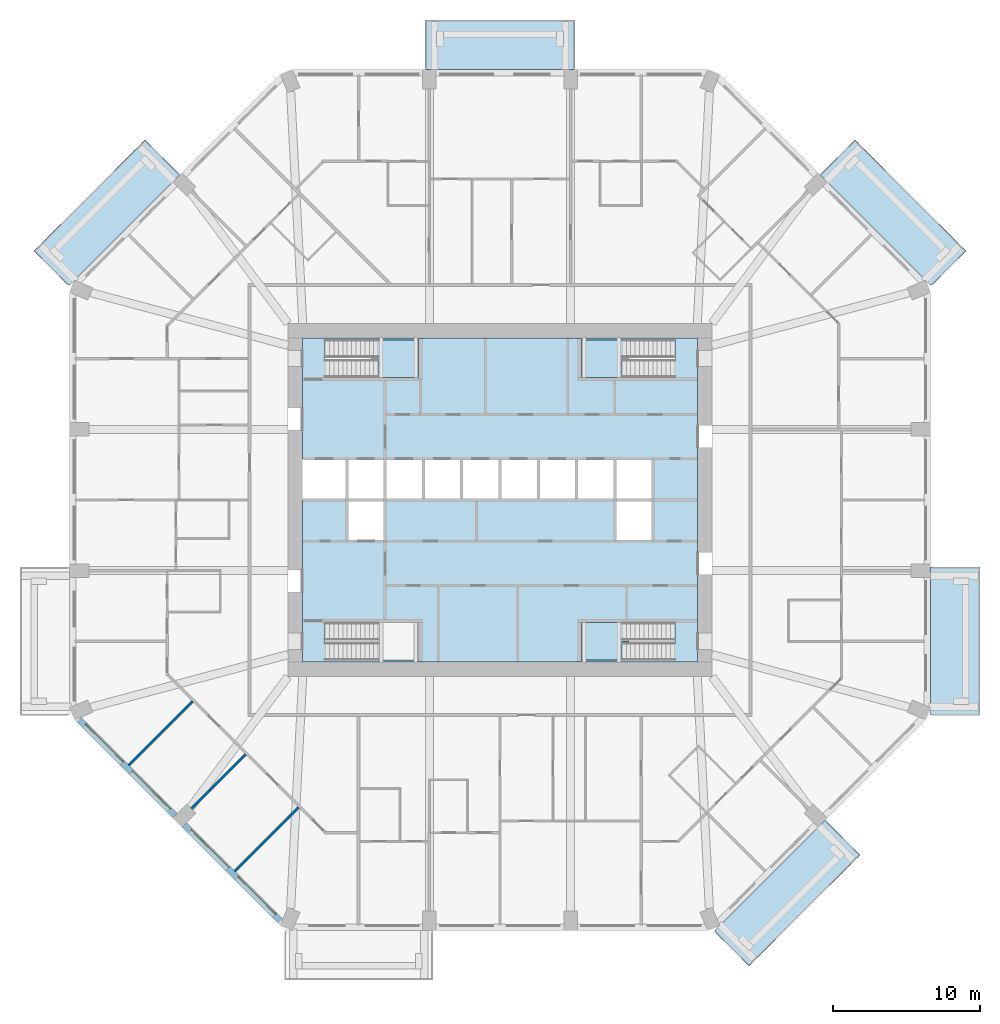
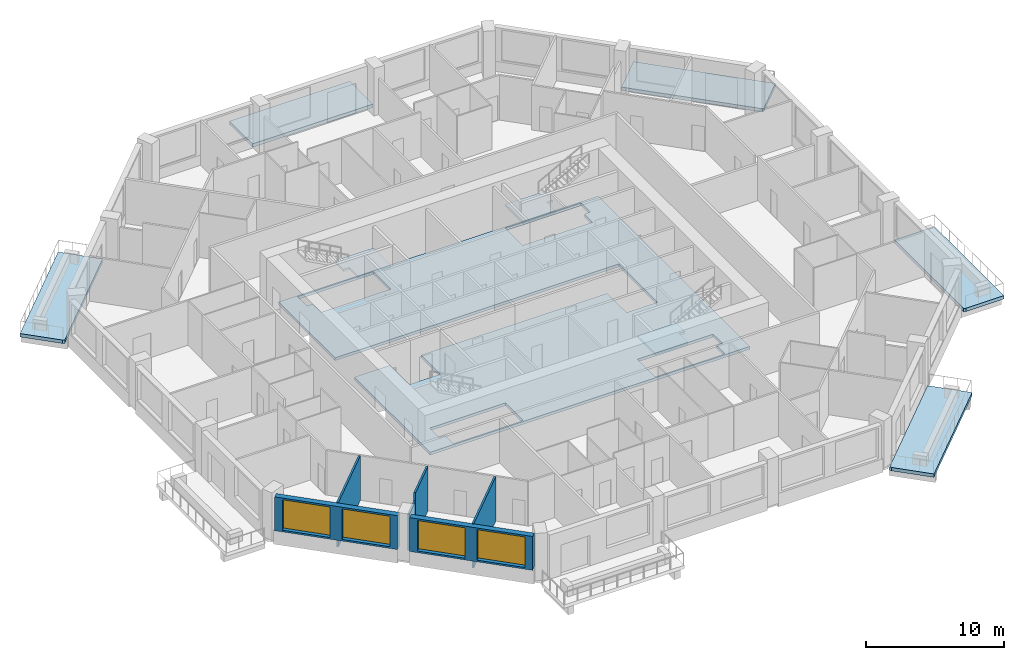
# One storey, part 2 of 13: 9 slabs, 6 walls, 4 windows, 4 openings, 3 elements without a shape of their own.
"""IFC4 building model written with IfcOpenShell, lengths in metres."""

from ifc_helpers import new_model, si_unit, direction, frame, frame_2d, origin, place, context, subcontext, project, spatial, polyline, rectangle, outline, extrude, material, layer, layer_set, type_object, element, fill, aggregate, save


model = new_model("IFC4")

# Units and contexts
model_context = context("Model", 3, precision=1e-05, world=origin(), true_north=direction((0.0, 1.0)))
body_context = subcontext(model_context, "Body", "Model", "MODEL_VIEW")
ifc_project = project(units=[si_unit("LENGTHUNIT", "METRE"), si_unit("AREAUNIT", "SQUARE_METRE"), si_unit("VOLUMEUNIT", "CUBIC_METRE"), si_unit("PLANEANGLEUNIT", "RADIAN"), si_unit("MASSUNIT", "GRAM", prefix="KILO")], contexts=[model_context])

# Site, building, storey
site_placement = place(None, origin())
site = spatial("IfcSite", under=ifc_project, at=site_placement, CompositionType="ELEMENT")
building_placement = place(site_placement, origin())
building = spatial("IfcBuilding", under=site, at=building_placement, Name="Msitu Wima Residences", CompositionType="ELEMENT")
storey_placement = place(building_placement, frame((0.0, 0.0, 80.10009765625)))
storey = spatial("IfcBuildingStorey", under=building, at=storey_placement, Name="L18", CompositionType="ELEMENT", Elevation=80.10009765625)

# Slabs
ifc_material_1 = material(Name="Concrete C40/50", Category="concrete")
ifc_layer_1 = layer(ifc_material_1, 0.300048828125)
ifc_layer_set_1 = layer_set([ifc_layer_1], Name="Concrete C40/50")
slab_type_1 = type_object("IfcSlabType", Name="Balcony slab BS300", PredefinedType="FLOOR", material=ifc_layer_set_1)
slab_1_placement = place(storey_placement, frame((0.0, 0.0, -0.300048828125)))
element("IfcSlab", 1, at=slab_1_placement, inside=storey, type_object=slab_type_1, Name="Balcony E0 L18", PredefinedType="FLOOR", context=body_context, shape_type="SweptSolid", body=[
    extrude(outline(polyline([(29.25, -14.099365234375), (29.25, -14.099365234375), (29.25, -5.25), (29.25, -4.550048828125), (32.60009765625, -4.550048828125), (32.60009765625, -14.64990234375), (29.403564453125, -14.64990234375), (29.25, -14.58642578125), (29.25, -14.099365234375), (29.25, -14.099365234375)])), origin(), (0.0, 0.0, 1.0), 0.300048828125),
])
slab_2_placement = place(storey_placement, frame((0.0, 0.0, -0.300048828125)))
element("IfcSlab", 2, at=slab_2_placement, inside=storey, type_object=slab_type_1, Name="Balcony NE0 L18", PredefinedType="FLOOR", context=body_context, shape_type="SweptSolid", body=[
    extrude(outline(polyline([(24.1103515625, 24.4638671875), (31.663818359375, 16.91015625), (29.403564453125, 14.64990234375), (29.25, 14.58642578125), (21.741455078125, 22.094970703125), (24.1103515625, 24.4638671875)])), origin(), (0.0, 0.0, 1.0), 0.300048828125),
])
slab_3_placement = place(storey_placement, frame((0.0, 0.0, -0.300048828125)))
element("IfcSlab", 3, at=slab_3_placement, inside=storey, type_object=slab_type_1, Name="Balcony N1 L18", PredefinedType="FLOOR", context=body_context, shape_type="SweptSolid", body=[
    extrude(outline(polyline([(4.35009765625, 29.25), (-4.35009765625, 29.25), (-5.050048828125, 29.25), (-5.050048828125, 32.60009765625), (5.050048828125, 32.60009765625), (5.050048828125, 29.25), (4.35009765625, 29.25)])), origin(), (0.0, 0.0, 1.0), 0.300048828125),
])
slab_4_placement = place(storey_placement, frame((0.0, 0.0, -0.300048828125)))
element("IfcSlab", 4, at=slab_4_placement, inside=storey, type_object=slab_type_1, Name="Balcony NW1 L18", PredefinedType="FLOOR", context=body_context, shape_type="SweptSolid", body=[
    extrude(outline(polyline([(-31.663818359375, 16.91015625), (-24.1103515625, 24.4638671875), (-21.741455078125, 22.094970703125), (-29.25, 14.58642578125), (-29.403564453125, 14.64990234375), (-31.663818359375, 16.91015625)])), origin(), (0.0, 0.0, 1.0), 0.300048828125),
])
slab_5_placement = place(storey_placement, frame((0.0, 0.0, -0.300048828125)))
element("IfcSlab", 5, at=slab_5_placement, inside=storey, type_object=slab_type_1, Name="Balcony SE0 L18", PredefinedType="FLOOR", context=body_context, shape_type="SweptSolid", body=[
    extrude(outline(polyline([(24.4638671875, -24.1103515625), (16.91015625, -31.663818359375), (14.64990234375, -29.403564453125), (14.58642578125, -29.25), (22.094970703125, -21.741455078125), (24.4638671875, -24.1103515625)])), origin(), (0.0, 0.0, 1.0), 0.300048828125),
])
ifc_layer_2 = layer(ifc_material_1, 0.25)
ifc_layer_set_2 = layer_set([ifc_layer_2], Name="Concrete C40/50")
slab_type_2 = type_object("IfcSlabType", Name="Core floor CF250", PredefinedType="FLOOR", material=ifc_layer_set_2)
slab_6_placement = place(storey_placement, frame((0.0, 0.0, -0.25)))
element("IfcSlab", 6, at=slab_6_placement, inside=storey, type_object=slab_type_2, Name="Core floor", PredefinedType="FLOOR", context=body_context, shape_type="SweptSolid", body=[
    extrude(outline(polyline([(-13.39990234375, 11.0), (-13.39990234375, 2.800048828125), (-10.39990234375, 2.800048828125), (-7.800048828125, 2.800048828125), (-5.199951171875, 2.800048828125), (-2.60009765625, 2.800048828125), (0.0, 2.800048828125), (2.60009765625, 2.800048828125), (5.199951171875, 2.800048828125), (7.800048828125, 2.800048828125), (10.39990234375, 2.800048828125), (10.39990234375, 0.0), (10.39990234375, -2.800048828125), (7.800048828125, -2.800048828125), (7.800048828125, 0.0), (5.199951171875, 0.0), (2.60009765625, 0.0), (0.0, 0.0), (-2.60009765625, 0.0), (-5.199951171875, 0.0), (-7.800048828125, 0.0), (-7.800048828125, -2.800048828125), (-10.39990234375, -2.800048828125), (-10.39990234375, 0.0), (-13.39990234375, 0.0), (-13.39990234375, -11.0), (13.39990234375, -11.0), (13.39990234375, 11.0), (-13.39990234375, 11.0)]), holes=[polyline([(-11.375, -10.875), (-11.375, -9.675048828125), (-11.87451171875, -9.675048828125), (-11.87451171875, -8.324951171875), (-5.52490234375, -8.324951171875), (-5.52490234375, -10.875), (-11.375, -10.875)]), polyline([(-11.375, 9.52490234375), (-11.87451171875, 9.52490234375), (-11.87451171875, 10.875), (-5.52490234375, 10.875), (-5.52490234375, 8.324951171875), (-11.375, 8.324951171875), (-11.375, 9.52490234375)]), polyline([(11.375, -9.675048828125), (11.375, -10.875), (5.52490234375, -10.875), (5.52490234375, -8.324951171875), (11.87451171875, -8.324951171875), (11.87451171875, -9.675048828125), (11.375, -9.675048828125)]), polyline([(11.375, 9.52490234375), (11.375, 8.324951171875), (5.52490234375, 8.324951171875), (5.52490234375, 10.875), (11.87451171875, 10.875), (11.87451171875, 9.52490234375), (11.375, 9.52490234375)])]), origin(), (0.0, 0.0, 1.0), 0.25),
])

# Stair, slab
stair_type = type_object("IfcStairType", Name="Exit stair ES1615-120", PredefinedType="HALF_TURN_STAIR", material=ifc_material_1)
stair_1_placement = place(storey_placement, origin())
stair_1 = element("IfcStair", 7, at=stair_1_placement, inside=storey, type_object=stair_type, Name="Exit stair 1", PredefinedType="HALF_TURN_STAIR")
ifc_layer_3 = layer(ifc_material_1, 0.199951171875)
ifc_layer_set_3 = layer_set([ifc_layer_3], Name="Concrete C40/50")
slab_type_3 = type_object("IfcSlabType", Name="Stair landing SL200", PredefinedType="LANDING", material=ifc_layer_set_3)
slab_7_placement = place(storey_placement, frame((0.0, 0.0, 1.89990234375)))
slab_7 = element("IfcSlab", 8, at=slab_7_placement, type_object=slab_type_3, Name="S1 landing 1", PredefinedType="LANDING", context=body_context, shape_type="SweptSolid", body=[
    extrude(outline(polyline([(-5.52490234375, 8.324951171875), (-8.275390625, 8.324951171875), (-8.275390625, 9.60009765625), (-8.77490234375, 9.60009765625), (-8.77490234375, 10.875), (-5.52490234375, 10.875), (-5.52490234375, 8.324951171875)])), origin(), (0.0, 0.0, 1.0), 0.199951171875),
])
aggregate(stair_1, [slab_7])

stair_2_placement = place(storey_placement, origin())
stair_2 = element("IfcStair", 9, at=stair_2_placement, inside=storey, type_object=stair_type, Name="Exit stair 3", PredefinedType="HALF_TURN_STAIR")
slab_8_placement = place(storey_placement, frame((0.0, 0.0, 1.89990234375)))
slab_8 = element("IfcSlab", 10, at=slab_8_placement, type_object=slab_type_3, Name="S3 landing 1", PredefinedType="LANDING", context=body_context, shape_type="SweptSolid", body=[
    extrude(outline(polyline([(5.52490234375, 8.324951171875), (8.275390625, 8.324951171875), (8.275390625, 9.60009765625), (8.77490234375, 9.60009765625), (8.77490234375, 10.875), (5.52490234375, 10.875), (5.52490234375, 8.324951171875)])), origin(), (0.0, 0.0, 1.0), 0.199951171875),
])
aggregate(stair_2, [slab_8])

stair_3_placement = place(storey_placement, origin())
stair_3 = element("IfcStair", 11, at=stair_3_placement, inside=storey, type_object=stair_type, Name="Exit stair 4", PredefinedType="HALF_TURN_STAIR")
slab_9_placement = place(storey_placement, frame((0.0, 0.0, 1.89990234375)))
slab_9 = element("IfcSlab", 12, at=slab_9_placement, type_object=slab_type_3, Name="S4 landing 1", PredefinedType="LANDING", context=body_context, shape_type="SweptSolid", body=[
    extrude(outline(polyline([(5.52490234375, -10.875), (8.275390625, -10.875), (8.275390625, -9.60009765625), (8.77490234375, -9.60009765625), (8.77490234375, -8.324951171875), (5.52490234375, -8.324951171875), (5.52490234375, -10.875)])), origin(), (0.0, 0.0, 1.0), 0.199951171875),
])
aggregate(stair_3, [slab_9])

# Wall, openings, windows
ifc_material_2 = material(Name="Brick (red buff mix)", Category="masonry")
ifc_layer_4 = layer(ifc_material_2, 0.449951171875)
ifc_layer_set_4 = layer_set([ifc_layer_4], Name="Brick (red buff mix)")
wall_type_1 = type_object("IfcWallType", Name="Brick infill wall BW450", PredefinedType="SOLIDWALL", material=ifc_layer_set_4)
wall_1_placement = place(storey_placement, frame((-28.61474609375, -14.903564453125, 0.89990234375), z_axis=(0.0, 0.0, 1.0), x_axis=(0.707106781187, -0.707106781187, 0.0)))
wall_1 = element("IfcWall", 13, at=wall_1_placement, inside=storey, type_object=wall_type_1, Name="Brick infill wall L18 SW0", PredefinedType="SOLIDWALL", context=body_context, shape_type="SweptSolid", body=[
    extrude(rectangle(XDim=9.2451171875, YDim=0.449951171875, at=frame_2d((4.62255859375, 0.0))), origin(), (0.0, 0.0, 1.0), 3.0),
])
opening_1_placement = place(wall_1_placement, frame((0.572509765625, 0.0, 0.14990234375)))
opening_1 = element("IfcOpeningElement", 14, at=opening_1_placement, cuts=wall_1, Name="Opening W18-20.025", PredefinedType="OPENING", context=body_context, shape_type="SweptSolid", body=[
    extrude(rectangle(XDim=3.60009765625, YDim=2.699951171875, at=frame_2d((1.800048828125, 1.35009765625))), frame((0.0, 0.23486328125, 0.0), z_axis=(0.0, -1.0, 0.0), x_axis=(1.0, 0.0, 0.0)), (0.0, 0.0, 1.0), 0.469970703125),
])
opening_2_placement = place(wall_1_placement, frame((5.072509765625, 0.0, 0.14990234375)))
opening_2 = element("IfcOpeningElement", 15, at=opening_2_placement, cuts=wall_1, Name="Opening W18-20.026", PredefinedType="OPENING", context=body_context, shape_type="SweptSolid", body=[
    extrude(rectangle(XDim=3.60009765625, YDim=2.699951171875, at=frame_2d((1.800048828125, 1.35009765625))), frame((0.0, 0.23486328125, 0.0), z_axis=(0.0, -1.0, 0.0), x_axis=(1.0, 0.0, 0.0)), (0.0, 0.0, 1.0), 0.469970703125),
])
ifc_material_3 = material(Name="Anodised aluminium, bronze finish, clear low-emissivity double glazing", Category="aluminium")
window_type = type_object("IfcWindowType", Name="Window W3600x2700", PartitioningType="DOUBLE_PANEL_VERTICAL", PredefinedType="WINDOW", material=ifc_material_3)
window_1_placement = place(opening_1_placement, origin())
window_1 = element("IfcWindow", 16, at=window_1_placement, inside=storey, type_object=window_type, Name="Window L18 SW0.1", OverallHeight=2.699951171875, OverallWidth=3.60009765625, PartitioningType="SINGLE_PANEL", PredefinedType="WINDOW", context=body_context, shape_type="SweptSolid", body=[
    extrude(rectangle(XDim=3.60009765625, YDim=2.699951171875, at=frame_2d((1.800048828125, 1.35009765625))), frame((0.0, 0.135009765625, 0.0), z_axis=(0.0, -1.0, 0.0), x_axis=(1.0, 0.0, 0.0)), (0.0, 0.0, 1.0), 0.06005859375),
])
fill(opening_1, window_1)
window_2_placement = place(opening_2_placement, origin())
window_2 = element("IfcWindow", 17, at=window_2_placement, inside=storey, type_object=window_type, Name="Window L18 SW0.2", OverallHeight=2.699951171875, OverallWidth=3.60009765625, PartitioningType="SINGLE_PANEL", PredefinedType="WINDOW", context=body_context, shape_type="SweptSolid", body=[
    extrude(rectangle(XDim=3.60009765625, YDim=2.699951171875, at=frame_2d((1.800048828125, 1.35009765625))), frame((0.0, 0.135009765625, 0.0), z_axis=(0.0, -1.0, 0.0), x_axis=(1.0, 0.0, 0.0)), (0.0, 0.0, 1.0), 0.06005859375),
])
fill(opening_2, window_2)

wall_2_placement = place(storey_placement, frame((-21.44091796875, -22.077392578125, 0.89990234375), z_axis=(0.0, 0.0, 1.0), x_axis=(0.707106781187, -0.707106781187, 0.0)))
wall_2 = element("IfcWall", 18, at=wall_2_placement, inside=storey, type_object=wall_type_1, Name="Brick infill wall L18 SW1", PredefinedType="SOLIDWALL", context=body_context, shape_type="SweptSolid", body=[
    extrude(rectangle(XDim=9.2451171875, YDim=0.449951171875, at=frame_2d((4.62255859375, 0.0))), origin(), (0.0, 0.0, 1.0), 3.0),
])
opening_3_placement = place(wall_2_placement, frame((0.572509765625, 0.0, 0.14990234375)))
opening_3 = element("IfcOpeningElement", 19, at=opening_3_placement, cuts=wall_2, Name="Opening W18-20.027", PredefinedType="OPENING", context=body_context, shape_type="SweptSolid", body=[
    extrude(rectangle(XDim=3.60009765625, YDim=2.699951171875, at=frame_2d((1.800048828125, 1.35009765625))), frame((0.0, 0.23486328125, 0.0), z_axis=(0.0, -1.0, 0.0), x_axis=(1.0, 0.0, 0.0)), (0.0, 0.0, 1.0), 0.469970703125),
])
opening_4_placement = place(wall_2_placement, frame((5.072509765625, 0.0, 0.14990234375)))
opening_4 = element("IfcOpeningElement", 20, at=opening_4_placement, cuts=wall_2, Name="Opening W18-20.028", PredefinedType="OPENING", context=body_context, shape_type="SweptSolid", body=[
    extrude(rectangle(XDim=3.60009765625, YDim=2.699951171875, at=frame_2d((1.800048828125, 1.35009765625))), frame((0.0, 0.23486328125, 0.0), z_axis=(0.0, -1.0, 0.0), x_axis=(1.0, 0.0, 0.0)), (0.0, 0.0, 1.0), 0.469970703125),
])
window_3_placement = place(opening_3_placement, origin())
window_3 = element("IfcWindow", 21, at=window_3_placement, inside=storey, type_object=window_type, Name="Window L18 SW1.1", OverallHeight=2.699951171875, OverallWidth=3.60009765625, PartitioningType="SINGLE_PANEL", PredefinedType="WINDOW", context=body_context, shape_type="SweptSolid", body=[
    extrude(rectangle(XDim=3.60009765625, YDim=2.699951171875, at=frame_2d((1.800048828125, 1.35009765625))), frame((0.0, 0.135009765625, 0.0), z_axis=(0.0, -1.0, 0.0), x_axis=(1.0, 0.0, 0.0)), (0.0, 0.0, 1.0), 0.06005859375),
])
fill(opening_3, window_3)
window_4_placement = place(opening_4_placement, origin())
window_4 = element("IfcWindow", 22, at=window_4_placement, inside=storey, type_object=window_type, Name="Window L18 SW1.2", OverallHeight=2.699951171875, OverallWidth=3.60009765625, PartitioningType="SINGLE_PANEL", PredefinedType="WINDOW", context=body_context, shape_type="SweptSolid", body=[
    extrude(rectangle(XDim=3.60009765625, YDim=2.699951171875, at=frame_2d((1.800048828125, 1.35009765625))), frame((0.0, 0.135009765625, 0.0), z_axis=(0.0, -1.0, 0.0), x_axis=(1.0, 0.0, 0.0)), (0.0, 0.0, 1.0), 0.06005859375),
])
fill(opening_4, window_4)

# Walls
ifc_material_4 = material(Name="Plaster")
ifc_layer_5 = layer(ifc_material_4, 0.011962890625, Name="Plaster")
ifc_material_5 = material(Name="Concrete blockwork", Category="masonry")
ifc_layer_6 = layer(ifc_material_5, 0.1259765625, Name="Concrete blockwork")
ifc_layer_7 = layer(ifc_material_4, 0.011962890625, Name="Plaster")
ifc_layer_set_5 = layer_set([ifc_layer_5, ifc_layer_6, ifc_layer_7], Name="Concrete blockwork")
wall_type_2 = type_object("IfcWallType", Name="Partition PW150", PredefinedType="PARTITIONING", material=ifc_layer_set_5)
wall_3_placement = place(storey_placement, frame((-25.2177734375, -18.017578125, 0.0), z_axis=(0.0, 0.0, 1.0), x_axis=(0.707126629519, 0.707086932297, 0.0)))
element("IfcWall", 23, at=wall_3_placement, inside=storey, type_object=wall_type_2, Name="Partition", PredefinedType="PARTITIONING", context=body_context, shape_type="SweptSolid", body=[
    extrude(rectangle(XDim=6.150146484375, YDim=0.14990234375, at=frame_2d((3.0751953125, 0.0))), origin(), (0.0, 0.0, 1.0), 3.949951171875),
])
wall_4_placement = place(storey_placement, frame((-20.963623046875, -20.963623046875, 0.0), z_axis=(0.0, 0.0, 1.0), x_axis=(0.707106781187, 0.707106781187, 0.0)))
element("IfcWall", 24, at=wall_4_placement, inside=storey, type_object=wall_type_2, Name="Partition", PredefinedType="PARTITIONING", context=body_context, shape_type="SweptSolid", body=[
    extrude(rectangle(XDim=1.74853515625, YDim=0.14990234375, at=frame_2d((0.874267578125, 0.0))), origin(), (0.0, 0.0, 1.0), 3.25),
])
wall_5_placement = place(storey_placement, frame((-19.727294921875, -19.727294921875, 0.0), z_axis=(0.0, 0.0, 1.0), x_axis=(0.707106781187, 0.707106781187, 0.0)))
element("IfcWall", 25, at=wall_5_placement, inside=storey, type_object=wall_type_2, Name="Partition", PredefinedType="PARTITIONING", context=body_context, shape_type="SweptSolid", body=[
    extrude(rectangle(XDim=3.4765625, YDim=0.14990234375, at=frame_2d((1.73828125, 0.0))), origin(), (0.0, 0.0, 1.0), 3.949951171875),
])
wall_6_placement = place(storey_placement, frame((-18.017578125, -25.2177734375, 0.0), z_axis=(0.0, 0.0, 1.0), x_axis=(0.707086932297, 0.707126629519, 0.0)))
element("IfcWall", 26, at=wall_6_placement, inside=storey, type_object=wall_type_2, Name="Partition", PredefinedType="PARTITIONING", context=body_context, shape_type="SweptSolid", body=[
    extrude(rectangle(XDim=6.150146484375, YDim=0.14990234375, at=frame_2d((3.0751953125, 0.0))), origin(), (0.0, 0.0, 1.0), 3.949951171875),
])

save(model, "model.ifc")
